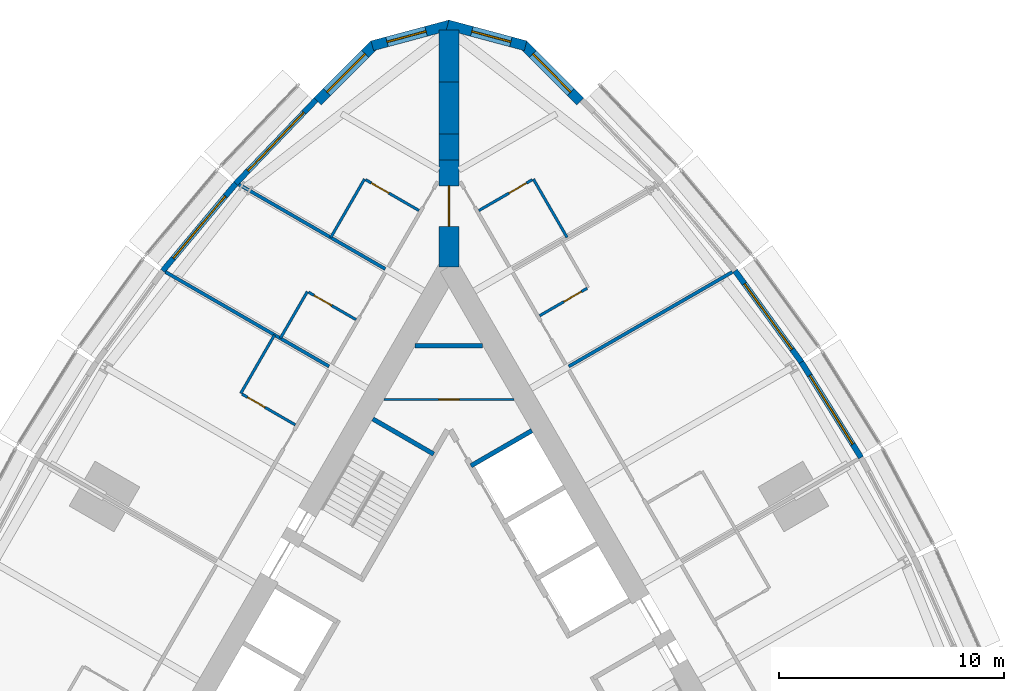
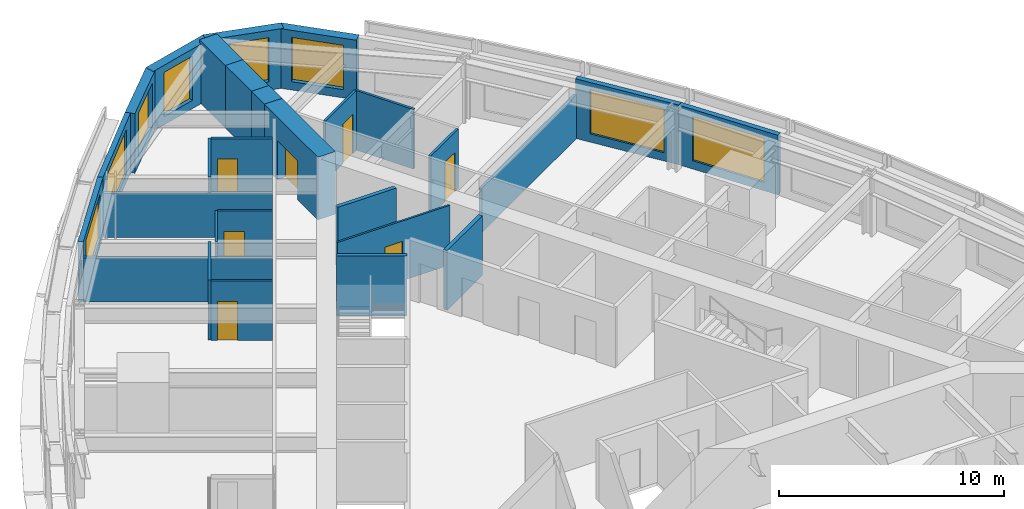
# One storey, part 12 of 14: 28 walls, 8 windows, 7 doors, 15 openings.
"""IFC4 building model written with IfcOpenShell, lengths in metres."""

from ifc_helpers import new_model, si_unit, direction, frame, frame_2d, origin, place, context, subcontext, project, spatial, polyline, rectangle, outline, extrude, material, layer, layer_set, type_object, element, fill, save


model = new_model("IFC4")

# Units and contexts
model_context = context("Model", 3, precision=1e-05, world=origin(), true_north=direction((0.0, 1.0)))
body_context = subcontext(model_context, "Body", "Model", "MODEL_VIEW")
ifc_project = project(units=[si_unit("LENGTHUNIT", "METRE"), si_unit("AREAUNIT", "SQUARE_METRE"), si_unit("VOLUMEUNIT", "CUBIC_METRE"), si_unit("PLANEANGLEUNIT", "RADIAN"), si_unit("MASSUNIT", "GRAM", prefix="KILO")], contexts=[model_context])

# Site, building, storey
site_placement = place(None, origin())
site = spatial("IfcSite", under=ifc_project, at=site_placement, CompositionType="ELEMENT")
building_placement = place(site_placement, origin())
building = spatial("IfcBuilding", under=site, at=building_placement, Name="Trikona Tower", CompositionType="ELEMENT")
storey_placement = place(building_placement, frame((0.0, 0.0, 155.5)))
storey = spatial("IfcBuildingStorey", under=building, at=storey_placement, Name="L41", CompositionType="ELEMENT", Elevation=155.5)

# Wall, opening, door
ifc_material_1 = material(Name="Metal stud and cement board", Category="gypsum")
ifc_layer_1 = layer(ifc_material_1, 0.1201171875)
ifc_layer_set_1 = layer_set([ifc_layer_1], Name="Bathroom wall 120")
wall_type_1 = type_object("IfcWallType", Name="Bathroom wall 120", PredefinedType="PLUMBINGWALL", material=ifc_layer_set_1)
wall_1_placement = place(storey_placement, frame((4.028564453125, 16.875, 0.0), z_axis=(0.0, 0.0, 1.0), x_axis=(0.865980627057, 0.500077547548, 0.0)))
wall_1 = element("IfcWall", 1, at=wall_1_placement, inside=storey, type_object=wall_type_1, Name="Bathroom wall 4108", PredefinedType="PLUMBINGWALL", context=body_context, shape_type="SweptSolid", body=[
    extrude(rectangle(XDim=2.43994140625, YDim=0.1201171875, at=frame_2d((1.219970703125, 0.0))), origin(), (0.0, 0.0, 1.0), 3.235107421875),
])
opening_1_placement = place(wall_1_placement, frame((1.25, 0.0, 0.0)))
opening_1 = element("IfcOpeningElement", 2, at=opening_1_placement, cuts=wall_1, Name="Opening D2", PredefinedType="OPENING", context=body_context, shape_type="SweptSolid", body=[
    extrude(rectangle(XDim=0.89990234375, YDim=2.1298828125, at=frame_2d((0.449951171875, 1.06494140625))), frame((0.0, 0.070068359375, 0.0), z_axis=(0.0, -1.0, 0.0), x_axis=(1.0, 0.0, 0.0)), (0.0, 0.0, 1.0), 0.14013671875),
])
ifc_material_2 = material(Name="Steel door frame with solid-core timber leaf", Category="steel")
door_type_1 = type_object("IfcDoorType", Name="Bathroom door 900x2130", OperationType="SLIDING_TO_LEFT", PredefinedType="DOOR", material=ifc_material_2)
door_1_placement = place(opening_1_placement, origin())
door_1 = element("IfcDoor", 3, at=door_1_placement, inside=storey, type_object=door_type_1, Name="Bathroom door 4108", OperationType="SLIDING_TO_LEFT", OverallHeight=2.1298828125, OverallWidth=0.89990234375, PredefinedType="DOOR", context=body_context, shape_type="SweptSolid", body=[
    extrude(rectangle(XDim=0.89990234375, YDim=2.1298828125, at=frame_2d((0.449951171875, 1.06494140625))), frame((0.0, 0.02490234375, 0.0), z_axis=(0.0, -1.0, 0.0), x_axis=(1.0, 0.0, 0.0)), (0.0, 0.0, 1.0), 0.050048828125),
])
fill(opening_1, door_1)

# Wall
wall_2_placement = place(storey_placement, frame((5.25341796875, 20.353515625, 0.0), z_axis=(0.0, 0.0, 1.0), x_axis=(-0.499990139034, 0.866031096941, 0.0)))
element("IfcWall", 4, at=wall_2_placement, inside=storey, type_object=wall_type_1, Name="Bathroom wall 4109", PredefinedType="PLUMBINGWALL", context=body_context, shape_type="SweptSolid", body=[
    extrude(rectangle(XDim=3.0, YDim=0.1201171875, at=frame_2d((1.5, 0.0))), origin(), (0.0, 0.0, 1.0), 3.235107421875),
])

# Wall, opening, door
wall_3_placement = place(storey_placement, frame((1.32861328125, 21.551513671875, 0.0), z_axis=(0.0, 0.0, 1.0), x_axis=(0.865997131366, 0.500048966069, 0.0)))
wall_3 = element("IfcWall", 5, at=wall_3_placement, inside=storey, type_object=wall_type_1, Name="Bathroom wall 4109", PredefinedType="PLUMBINGWALL", context=body_context, shape_type="SweptSolid", body=[
    extrude(rectangle(XDim=2.739990234375, YDim=0.1201171875, at=frame_2d((1.3701171875, 0.0))), origin(), (0.0, 0.0, 1.0), 3.235107421875),
])
opening_2_placement = place(wall_3_placement, frame((1.550048828125, 0.0, 0.0)))
opening_2 = element("IfcOpeningElement", 6, at=opening_2_placement, cuts=wall_3, Name="Opening D2", PredefinedType="OPENING", context=body_context, shape_type="SweptSolid", body=[
    extrude(rectangle(XDim=0.89990234375, YDim=2.1298828125, at=frame_2d((0.449951171875, 1.06494140625))), frame((0.0, 0.070068359375, 0.0), z_axis=(0.0, -1.0, 0.0), x_axis=(1.0, 0.0, 0.0)), (0.0, 0.0, 1.0), 0.14013671875),
])
door_2_placement = place(opening_2_placement, origin())
door_2 = element("IfcDoor", 7, at=door_2_placement, inside=storey, type_object=door_type_1, Name="Bathroom door 4109", OperationType="SLIDING_TO_LEFT", OverallHeight=2.1298828125, OverallWidth=0.89990234375, PredefinedType="DOOR", context=body_context, shape_type="SweptSolid", body=[
    extrude(rectangle(XDim=0.89990234375, YDim=2.1298828125, at=frame_2d((0.449951171875, 1.06494140625))), frame((0.0, 0.02490234375, 0.0), z_axis=(0.0, -1.0, 0.0), x_axis=(1.0, 0.0, 0.0)), (0.0, 0.0, 1.0), 0.050048828125),
])
fill(opening_2, door_2)

# Wall
wall_4_placement = place(storey_placement, frame((-3.75341796875, 22.95166015625, 0.0), z_axis=(0.0, 0.0, 1.0), x_axis=(-0.499990139034, -0.866031096941, 0.0)))
element("IfcWall", 8, at=wall_4_placement, inside=storey, type_object=wall_type_1, Name="Bathroom wall 4110", PredefinedType="PLUMBINGWALL", context=body_context, shape_type="SweptSolid", body=[
    extrude(rectangle(XDim=3.0, YDim=0.1201171875, at=frame_2d((1.5, 0.0))), origin(), (0.0, 0.0, 1.0), 3.235107421875),
])

# Wall, opening, door
wall_5_placement = place(storey_placement, frame((-1.32861328125, 21.551513671875, 0.0), z_axis=(0.0, 0.0, 1.0), x_axis=(-0.865997131366, 0.500048966069, 0.0)))
wall_5 = element("IfcWall", 9, at=wall_5_placement, inside=storey, type_object=wall_type_1, Name="Bathroom wall 4110", PredefinedType="PLUMBINGWALL", context=body_context, shape_type="SweptSolid", body=[
    extrude(rectangle(XDim=2.739990234375, YDim=0.1201171875, at=frame_2d((1.3701171875, 0.0))), origin(), (0.0, 0.0, 1.0), 3.235107421875),
])
opening_3_placement = place(wall_5_placement, frame((1.550048828125, 0.0, 0.0)))
opening_3 = element("IfcOpeningElement", 10, at=opening_3_placement, cuts=wall_5, Name="Opening D2", PredefinedType="OPENING", context=body_context, shape_type="SweptSolid", body=[
    extrude(rectangle(XDim=0.89990234375, YDim=2.1298828125, at=frame_2d((0.449951171875, 1.06494140625))), frame((0.0, 0.070068359375, 0.0), z_axis=(0.0, -1.0, 0.0), x_axis=(1.0, 0.0, 0.0)), (0.0, 0.0, 1.0), 0.14013671875),
])
door_3_placement = place(opening_3_placement, origin())
door_3 = element("IfcDoor", 11, at=door_3_placement, inside=storey, type_object=door_type_1, Name="Bathroom door 4110", OperationType="SLIDING_TO_LEFT", OverallHeight=2.1298828125, OverallWidth=0.89990234375, PredefinedType="DOOR", context=body_context, shape_type="SweptSolid", body=[
    extrude(rectangle(XDim=0.89990234375, YDim=2.1298828125, at=frame_2d((0.449951171875, 1.06494140625))), frame((0.0, 0.02490234375, 0.0), z_axis=(0.0, -1.0, 0.0), x_axis=(1.0, 0.0, 0.0)), (0.0, 0.0, 1.0), 0.050048828125),
])
fill(opening_3, door_3)

# Wall
wall_6_placement = place(storey_placement, frame((-6.29345703125, 17.951904296875, 0.0), z_axis=(0.0, 0.0, 1.0), x_axis=(-0.499957262057, -0.866050077142, 0.0)))
element("IfcWall", 12, at=wall_6_placement, inside=storey, type_object=wall_type_1, Name="Bathroom wall 4111", PredefinedType="PLUMBINGWALL", context=body_context, shape_type="SweptSolid", body=[
    extrude(rectangle(XDim=2.400146484375, YDim=0.1201171875, at=frame_2d((1.2001953125, 0.0))), origin(), (0.0, 0.0, 1.0), 3.235107421875),
])

# Wall, opening, door
wall_7_placement = place(storey_placement, frame((-4.12841796875, 16.701904296875, 0.0), z_axis=(0.0, 0.0, 1.0), x_axis=(-0.866048967903, 0.499959183527, 0.0)))
wall_7 = element("IfcWall", 13, at=wall_7_placement, inside=storey, type_object=wall_type_1, Name="Bathroom wall 4111", PredefinedType="PLUMBINGWALL", context=body_context, shape_type="SweptSolid", body=[
    extrude(rectangle(XDim=2.440185546875, YDim=0.1201171875, at=frame_2d((1.22021484375, 0.0))), origin(), (0.0, 0.0, 1.0), 3.235107421875),
])
opening_4_placement = place(wall_7_placement, frame((1.25, 0.0, 0.0)))
opening_4 = element("IfcOpeningElement", 14, at=opening_4_placement, cuts=wall_7, Name="Opening D2", PredefinedType="OPENING", context=body_context, shape_type="SweptSolid", body=[
    extrude(rectangle(XDim=0.89990234375, YDim=2.1298828125, at=frame_2d((0.449951171875, 1.06494140625))), frame((0.0, 0.070068359375, 0.0), z_axis=(0.0, -1.0, 0.0), x_axis=(1.0, 0.0, 0.0)), (0.0, 0.0, 1.0), 0.14013671875),
])
door_4_placement = place(opening_4_placement, origin())
door_4 = element("IfcDoor", 15, at=door_4_placement, inside=storey, type_object=door_type_1, Name="Bathroom door 4111", OperationType="SLIDING_TO_LEFT", OverallHeight=2.1298828125, OverallWidth=0.89990234375, PredefinedType="DOOR", context=body_context, shape_type="SweptSolid", body=[
    extrude(rectangle(XDim=0.89990234375, YDim=2.1298828125, at=frame_2d((0.449951171875, 1.06494140625))), frame((0.0, 0.02490234375, 0.0), z_axis=(0.0, -1.0, 0.0), x_axis=(1.0, 0.0, 0.0)), (0.0, 0.0, 1.0), 0.050048828125),
])
fill(opening_4, door_4)

# Wall
wall_8_placement = place(storey_placement, frame((-7.75341796875, 16.0234375, 0.0), z_axis=(0.0, 0.0, 1.0), x_axis=(-0.499990139034, -0.866031096941, 0.0)))
element("IfcWall", 16, at=wall_8_placement, inside=storey, type_object=wall_type_1, Name="Bathroom wall 4112", PredefinedType="PLUMBINGWALL", context=body_context, shape_type="SweptSolid", body=[
    extrude(rectangle(XDim=3.0, YDim=0.1201171875, at=frame_2d((1.5, 0.0))), origin(), (0.0, 0.0, 1.0), 3.235107421875),
])

# Wall, opening, door
wall_9_placement = place(storey_placement, frame((-6.82861328125, 12.025390625, 0.0), z_axis=(0.0, 0.0, 1.0), x_axis=(-0.866035715982, 0.499982138324, 0.0)))
wall_9 = element("IfcWall", 17, at=wall_9_placement, inside=storey, type_object=wall_type_1, Name="Bathroom wall 4112", PredefinedType="PLUMBINGWALL", context=body_context, shape_type="SweptSolid", body=[
    extrude(rectangle(XDim=2.73974609375, YDim=0.1201171875, at=frame_2d((1.369873046875, 0.0))), origin(), (0.0, 0.0, 1.0), 3.235107421875),
])
opening_5_placement = place(wall_9_placement, frame((1.550048828125, 0.0, 0.0)))
opening_5 = element("IfcOpeningElement", 18, at=opening_5_placement, cuts=wall_9, Name="Opening D2", PredefinedType="OPENING", context=body_context, shape_type="SweptSolid", body=[
    extrude(rectangle(XDim=0.89990234375, YDim=2.1298828125, at=frame_2d((0.449951171875, 1.06494140625))), frame((0.0, 0.070068359375, 0.0), z_axis=(0.0, -1.0, 0.0), x_axis=(1.0, 0.0, 0.0)), (0.0, 0.0, 1.0), 0.14013671875),
])
door_5_placement = place(opening_5_placement, origin())
door_5 = element("IfcDoor", 19, at=door_5_placement, inside=storey, type_object=door_type_1, Name="Bathroom door 4112", OperationType="SLIDING_TO_LEFT", OverallHeight=2.1298828125, OverallWidth=0.89990234375, PredefinedType="DOOR", context=body_context, shape_type="SweptSolid", body=[
    extrude(rectangle(XDim=0.89990234375, YDim=2.1298828125, at=frame_2d((0.449951171875, 1.06494140625))), frame((0.0, 0.02490234375, 0.0), z_axis=(0.0, -1.0, 0.0), x_axis=(1.0, 0.0, 0.0)), (0.0, 0.0, 1.0), 0.050048828125),
])
fill(opening_5, door_5)

# Wall, opening, window
ifc_material_3 = material(Name="Brick-faced precast concrete", Category="masonry")
ifc_layer_2 = layer(ifc_material_3, 0.449951171875)
ifc_layer_set_2 = layer_set([ifc_layer_2], Name="Brick-faced corner wall 450")
wall_type_2 = type_object("IfcWallType", Name="Brick-faced corner wall 450", PredefinedType="SOLIDWALL", material=ifc_layer_set_2)
wall_10_placement = place(storey_placement, frame((5.8408203125, 26.39892578125, 0.0), z_axis=(0.0, 0.0, 1.0), x_axis=(-0.707106781187, 0.707106781187, 0.0)))
wall_10 = element("IfcWall", 20, at=wall_10_placement, inside=storey, type_object=wall_type_2, Name="External wall L41-20", PredefinedType="SOLIDWALL", context=body_context, shape_type="SweptSolid", body=[
    extrude(rectangle(XDim=3.586181640625, YDim=0.449951171875, at=frame_2d((1.79296875, 0.0))), origin(), (0.0, 0.0, 1.0), 3.235107421875),
])
opening_6_placement = place(wall_10_placement, frame((0.59326171875, 0.0, 0.449951171875)))
opening_6 = element("IfcOpeningElement", 21, at=opening_6_placement, cuts=wall_10, Name="Opening W2424", PredefinedType="OPENING", context=body_context, shape_type="SweptSolid", body=[
    extrude(rectangle(XDim=2.39990234375, YDim=2.39990234375, at=frame_2d((1.199951171875, 1.199951171875))), frame((0.0, 0.23486328125, 0.0), z_axis=(0.0, -1.0, 0.0), x_axis=(1.0, 0.0, 0.0)), (0.0, 0.0, 1.0), 0.469970703125),
])
ifc_material_4 = material(Name="Aluminium-framed double glazing", Category="aluminium")
window_type_1 = type_object("IfcWindowType", Name="Window 2400x2400", PartitioningType="SINGLE_PANEL", PredefinedType="WINDOW", material=ifc_material_4)
window_1_placement = place(opening_6_placement, origin())
window_1 = element("IfcWindow", 22, at=window_1_placement, inside=storey, type_object=window_type_1, Name="Window 4109", OverallHeight=2.39990234375, OverallWidth=2.39990234375, PartitioningType="SINGLE_PANEL", PredefinedType="WINDOW", context=body_context, shape_type="SweptSolid", body=[
    extrude(rectangle(XDim=2.39990234375, YDim=2.39990234375, at=frame_2d((1.199951171875, 1.199951171875))), frame((0.0, 0.030029296875, 0.0), z_axis=(0.0, -1.0, 0.0), x_axis=(1.0, 0.0, 0.0)), (0.0, 0.0, 1.0), 0.06005859375),
])
fill(opening_6, window_1)

wall_11_placement = place(storey_placement, frame((3.406005859375, 28.876708984375, 0.0), z_axis=(0.0, 0.0, 1.0), x_axis=(-0.965924653531, 0.258823421857, 0.0)))
wall_11 = element("IfcWall", 23, at=wall_11_placement, inside=storey, type_object=wall_type_2, Name="External wall L41-21", PredefinedType="SOLIDWALL", context=body_context, shape_type="SweptSolid", body=[
    extrude(outline(polyline([(3.58642578125, 0.22509765625), (3.526611328125, 0.22509765625), (3.035400390625, 0.09326171875), (3.0, 0.22509765625), (0.0, 0.22509765625), (0.0, -0.22509765625), (3.58642578125, -0.22509765625), (3.58642578125, 0.22509765625)])), origin(), (0.0, 0.0, 1.0), 3.235107421875),
])
opening_7_placement = place(wall_11_placement, frame((0.6748046875, 0.0, 0.449951171875)))
opening_7 = element("IfcOpeningElement", 24, at=opening_7_placement, cuts=wall_11, Name="Opening W1824", PredefinedType="OPENING", context=body_context, shape_type="SweptSolid", body=[
    extrude(rectangle(XDim=1.800048828125, YDim=2.39990234375, at=frame_2d((0.89990234375, 1.199951171875))), frame((0.0, 0.23486328125, 0.0), z_axis=(0.0, -1.0, 0.0), x_axis=(1.0, 0.0, 0.0)), (0.0, 0.0, 1.0), 0.469970703125),
])
ifc_material_5 = material(Name="Aluminium-framed double glazing", Category="aluminium")
window_type_2 = type_object("IfcWindowType", Name="Window 1800x2400", PartitioningType="SINGLE_PANEL", PredefinedType="WINDOW", material=ifc_material_5)
window_2_placement = place(opening_7_placement, origin())
window_2 = element("IfcWindow", 25, at=window_2_placement, inside=storey, type_object=window_type_2, Name="Window 4109", OverallHeight=2.39990234375, OverallWidth=1.800048828125, PartitioningType="SINGLE_PANEL", PredefinedType="WINDOW", context=body_context, shape_type="SweptSolid", body=[
    extrude(rectangle(XDim=1.800048828125, YDim=2.39990234375, at=frame_2d((0.89990234375, 1.199951171875))), frame((0.0, 0.030029296875, 0.0), z_axis=(0.0, -1.0, 0.0), x_axis=(1.0, 0.0, 0.0)), (0.0, 0.0, 1.0), 0.06005859375),
])
fill(opening_7, window_2)

wall_12_placement = place(storey_placement, frame((0.05810546875, 29.804931640625, 0.0), z_axis=(0.0, 0.0, 1.0), x_axis=(-0.965924653531, -0.258823421857, 0.0)))
wall_12 = element("IfcWall", 26, at=wall_12_placement, inside=storey, type_object=wall_type_2, Name="External wall L41-22", PredefinedType="SOLIDWALL", context=body_context, shape_type="SweptSolid", body=[
    extrude(outline(polyline([(3.58642578125, 0.22509765625), (0.58642578125, 0.22509765625), (0.551025390625, 0.09326171875), (0.0595703125, 0.22509765625), (0.0, 0.22509765625), (0.0, -0.22509765625), (3.58642578125, -0.22509765625), (3.58642578125, 0.22509765625)])), origin(), (0.0, 0.0, 1.0), 3.235107421875),
])
opening_8_placement = place(wall_12_placement, frame((1.111328125, 0.0, 0.449951171875)))
opening_8 = element("IfcOpeningElement", 27, at=opening_8_placement, cuts=wall_12, Name="Opening W1824", PredefinedType="OPENING", context=body_context, shape_type="SweptSolid", body=[
    extrude(rectangle(XDim=1.800048828125, YDim=2.39990234375, at=frame_2d((0.89990234375, 1.199951171875))), frame((0.0, 0.23486328125, 0.0), z_axis=(0.0, -1.0, 0.0), x_axis=(1.0, 0.0, 0.0)), (0.0, 0.0, 1.0), 0.469970703125),
])
window_3_placement = place(opening_8_placement, origin())
window_3 = element("IfcWindow", 28, at=window_3_placement, inside=storey, type_object=window_type_2, Name="Window 4110", OverallHeight=2.39990234375, OverallWidth=1.800048828125, PartitioningType="SINGLE_PANEL", PredefinedType="WINDOW", context=body_context, shape_type="SweptSolid", body=[
    extrude(rectangle(XDim=1.800048828125, YDim=2.39990234375, at=frame_2d((0.89990234375, 1.199951171875))), frame((0.0, 0.030029296875, 0.0), z_axis=(0.0, -1.0, 0.0), x_axis=(1.0, 0.0, 0.0)), (0.0, 0.0, 1.0), 0.06005859375),
])
fill(opening_8, window_3)

wall_13_placement = place(storey_placement, frame((-3.304931640625, 28.934814453125, 0.0), z_axis=(0.0, 0.0, 1.0), x_axis=(-0.707106781187, -0.707106781187, 0.0)))
wall_13 = element("IfcWall", 29, at=wall_13_placement, inside=storey, type_object=wall_type_2, Name="External wall L41-23", PredefinedType="SOLIDWALL", context=body_context, shape_type="SweptSolid", body=[
    extrude(rectangle(XDim=3.586181640625, YDim=0.449951171875, at=frame_2d((1.79296875, 0.0))), origin(), (0.0, 0.0, 1.0), 3.235107421875),
])
opening_9_placement = place(wall_13_placement, frame((0.59326171875, 0.0, 0.449951171875)))
opening_9 = element("IfcOpeningElement", 30, at=opening_9_placement, cuts=wall_13, Name="Opening W2424", PredefinedType="OPENING", context=body_context, shape_type="SweptSolid", body=[
    extrude(rectangle(XDim=2.39990234375, YDim=2.39990234375, at=frame_2d((1.199951171875, 1.199951171875))), frame((0.0, 0.23486328125, 0.0), z_axis=(0.0, -1.0, 0.0), x_axis=(1.0, 0.0, 0.0)), (0.0, 0.0, 1.0), 0.469970703125),
])
window_4_placement = place(opening_9_placement, origin())
window_4 = element("IfcWindow", 31, at=window_4_placement, inside=storey, type_object=window_type_1, Name="Window 4110", OverallHeight=2.39990234375, OverallWidth=2.39990234375, PartitioningType="SINGLE_PANEL", PredefinedType="WINDOW", context=body_context, shape_type="SweptSolid", body=[
    extrude(rectangle(XDim=2.39990234375, YDim=2.39990234375, at=frame_2d((1.199951171875, 1.199951171875))), frame((0.0, 0.030029296875, 0.0), z_axis=(0.0, -1.0, 0.0), x_axis=(1.0, 0.0, 0.0)), (0.0, 0.0, 1.0), 0.06005859375),
])
fill(opening_9, window_4)

# Wall, opening, door
ifc_material_6 = material(Name="Concrete f'c 10000 psi", Category="concrete")
ifc_layer_3 = layer(ifc_material_6, 0.89990234375)
ifc_layer_set_3 = layer_set([ifc_layer_3], Name="Buttress wall 900")
wall_type_3 = type_object("IfcWallType", Name="Buttress wall 900", PredefinedType="SHEAR", material=ifc_layer_set_3)
wall_14_placement = place(storey_placement, frame((0.0, 19.052490234375, 0.0), z_axis=(0.0, 0.0, 1.0), x_axis=(0.0, 1.0, 0.0)))
wall_14 = element("IfcWall", 32, at=wall_14_placement, inside=storey, type_object=wall_type_3, Name="Buttress wall 2", PredefinedType="SHEAR", context=body_context, shape_type="SweptSolid", body=[
    extrude(rectangle(XDim=4.74609375, YDim=0.89990234375, at=frame_2d((2.373046875, 0.0))), origin(), (0.0, 0.0, 1.0), 3.39990234375),
])
opening_10_placement = place(wall_14_placement, frame((1.800048828125, 0.0, 0.0)))
opening_10 = element("IfcOpeningElement", 33, at=opening_10_placement, cuts=wall_14, Name="Opening D10", PredefinedType="OPENING", context=body_context, shape_type="SweptSolid", body=[
    extrude(rectangle(XDim=1.800048828125, YDim=2.1298828125, at=frame_2d((0.89990234375, 1.06494140625))), frame((0.0, 0.4599609375, 0.0), z_axis=(0.0, -1.0, 0.0), x_axis=(1.0, 0.0, 0.0)), (0.0, 0.0, 1.0), 0.919921875),
])
ifc_material_7 = material(Name="Hollow metal door and frame", Category="steel")
door_type_2 = type_object("IfcDoorType", Name="Cross-corridor door pair 1800x2130", OperationType="DOUBLE_DOOR_DOUBLE_SWING", PredefinedType="DOOR", material=ifc_material_7)
door_6_placement = place(opening_10_placement, origin())
door_6 = element("IfcDoor", 34, at=door_6_placement, inside=storey, type_object=door_type_2, Name="Cross-corridor door 2", OperationType="DOUBLE_DOOR_DOUBLE_SWING", OverallHeight=2.1298828125, OverallWidth=1.800048828125, PredefinedType="DOOR", context=body_context, shape_type="SweptSolid", body=[
    extrude(rectangle(XDim=1.800048828125, YDim=2.1298828125, at=frame_2d((0.89990234375, 1.06494140625))), frame((0.0, 0.02490234375, 0.0), z_axis=(0.0, -1.0, 0.0), x_axis=(1.0, 0.0, 0.0)), (0.0, 0.0, 1.0), 0.050048828125),
])
fill(opening_10, door_6)

# Walls
wall_15_placement = place(storey_placement, frame((0.0, 23.798583984375, 0.0), z_axis=(0.0, 0.0, 1.0), x_axis=(0.0, 1.0, 0.0)))
element("IfcWall", 35, at=wall_15_placement, inside=storey, type_object=wall_type_3, Name="Buttress wall 2 part 2", PredefinedType="SHEAR", context=body_context, shape_type="SweptSolid", body=[
    extrude(rectangle(XDim=1.15478515625, YDim=0.89990234375, at=frame_2d((0.577392578125, 0.0))), origin(), (0.0, 0.0, 1.0), 3.39990234375),
])
wall_16_placement = place(storey_placement, frame((0.0, 24.953369140625, 0.0), z_axis=(0.0, 0.0, 1.0), x_axis=(0.0, 1.0, 0.0)))
element("IfcWall", 36, at=wall_16_placement, inside=storey, type_object=wall_type_3, Name="Buttress wall 2 part 3", PredefinedType="SHEAR", context=body_context, shape_type="SweptSolid", body=[
    extrude(rectangle(XDim=2.309326171875, YDim=0.89990234375, at=frame_2d((1.15478515625, 0.0))), origin(), (0.0, 0.0, 1.0), 3.39990234375),
])
wall_17_placement = place(storey_placement, frame((0.0, 27.2626953125, 0.0), z_axis=(0.0, 0.0, 1.0), x_axis=(0.0, 1.0, 0.0)))
element("IfcWall", 37, at=wall_17_placement, inside=storey, type_object=wall_type_3, Name="Buttress wall 2 part 4", PredefinedType="SHEAR", context=body_context, shape_type="SweptSolid", body=[
    extrude(rectangle(XDim=2.3095703125, YDim=0.89990234375, at=frame_2d((1.15478515625, 0.0))), origin(), (0.0, 0.0, 1.0), 3.39990234375),
])

# Wall, opening, window
ifc_material_8 = material(Name="Insulated precast concrete spandrel panel", Category="concrete")
ifc_layer_4 = layer(ifc_material_8, 0.25)
ifc_layer_set_4 = layer_set([ifc_layer_4], Name="Inner skin wall 250")
wall_type_4 = type_object("IfcWallType", Name="Inner skin wall 250", PredefinedType="STANDARD", material=ifc_layer_set_4)
wall_18_placement = place(storey_placement, frame((18.31884765625, 10.5712890625, 0.0), z_axis=(0.0, 0.0, 1.0), x_axis=(-0.529990167382, 0.84800378683, 0.0)))
wall_18 = element("IfcWall", 38, at=wall_18_placement, inside=storey, type_object=wall_type_4, Name="External wall L41-16", PredefinedType="STANDARD", context=body_context, shape_type="SweptSolid", body=[
    extrude(rectangle(XDim=5.003173828125, YDim=0.25, at=frame_2d((2.50146484375, 0.0))), origin(), (0.0, 0.0, 1.0), 3.235107421875),
])
opening_11_placement = place(wall_18_placement, frame((0.701416015625, 0.0, 0.449951171875)))
opening_11 = element("IfcOpeningElement", 39, at=opening_11_placement, cuts=wall_18, Name="Opening W3624", PredefinedType="OPENING", context=body_context, shape_type="SweptSolid", body=[
    extrude(rectangle(XDim=3.60009765625, YDim=2.39990234375, at=frame_2d((1.800048828125, 1.199951171875))), frame((0.0, 0.135009765625, 0.0), z_axis=(0.0, -1.0, 0.0), x_axis=(1.0, 0.0, 0.0)), (0.0, 0.0, 1.0), 0.27001953125),
])
ifc_material_9 = material(Name="Aluminium-framed double glazing", Category="aluminium")
window_type_3 = type_object("IfcWindowType", Name="Window 3600x2400", PartitioningType="SINGLE_PANEL", PredefinedType="WINDOW", material=ifc_material_9)
window_5_placement = place(opening_11_placement, origin())
window_5 = element("IfcWindow", 40, at=window_5_placement, inside=storey, type_object=window_type_3, Name="Window 4107", OverallHeight=2.39990234375, OverallWidth=3.60009765625, PartitioningType="SINGLE_PANEL", PredefinedType="WINDOW", context=body_context, shape_type="SweptSolid", body=[
    extrude(rectangle(XDim=3.60009765625, YDim=2.39990234375, at=frame_2d((1.800048828125, 1.199951171875))), frame((0.0, 0.030029296875, 0.0), z_axis=(0.0, -1.0, 0.0), x_axis=(1.0, 0.0, 0.0)), (0.0, 0.0, 1.0), 0.06005859375),
])
fill(opening_11, window_5)

wall_19_placement = place(storey_placement, frame((15.672119140625, 14.806640625, 0.0), z_axis=(0.0, 0.0, 1.0), x_axis=(-0.587669188412, 0.809101307001, 0.0)))
wall_19 = element("IfcWall", 41, at=wall_19_placement, inside=storey, type_object=wall_type_4, Name="External wall L41-17", PredefinedType="STANDARD", context=body_context, shape_type="SweptSolid", body=[
    extrude(rectangle(XDim=5.027587890625, YDim=0.25, at=frame_2d((2.513671875, 0.0))), origin(), (0.0, 0.0, 1.0), 3.235107421875),
])
opening_12_placement = place(wall_19_placement, frame((0.7138671875, 0.0, 0.449951171875)))
opening_12 = element("IfcOpeningElement", 42, at=opening_12_placement, cuts=wall_19, Name="Opening W3624", PredefinedType="OPENING", context=body_context, shape_type="SweptSolid", body=[
    extrude(rectangle(XDim=3.60009765625, YDim=2.39990234375, at=frame_2d((1.800048828125, 1.199951171875))), frame((0.0, 0.135009765625, 0.0), z_axis=(0.0, -1.0, 0.0), x_axis=(1.0, 0.0, 0.0)), (0.0, 0.0, 1.0), 0.27001953125),
])
window_6_placement = place(opening_12_placement, origin())
window_6 = element("IfcWindow", 43, at=window_6_placement, inside=storey, type_object=window_type_3, Name="Window 4107", OverallHeight=2.39990234375, OverallWidth=3.60009765625, PartitioningType="SINGLE_PANEL", PredefinedType="WINDOW", context=body_context, shape_type="SweptSolid", body=[
    extrude(rectangle(XDim=3.60009765625, YDim=2.39990234375, at=frame_2d((1.800048828125, 1.199951171875))), frame((0.0, 0.030029296875, 0.0), z_axis=(0.0, -1.0, 0.0), x_axis=(1.0, 0.0, 0.0)), (0.0, 0.0, 1.0), 0.06005859375),
])
fill(opening_12, window_6)

wall_20_placement = place(storey_placement, frame((-5.90966796875, 26.4716796875, 0.0), z_axis=(0.0, 0.0, 1.0), x_axis=(-0.691719937936, -0.722165858693, 0.0)))
wall_20 = element("IfcWall", 44, at=wall_20_placement, inside=storey, type_object=wall_type_4, Name="External wall L41-24", PredefinedType="STANDARD", context=body_context, shape_type="SweptSolid", body=[
    extrude(rectangle(XDim=5.148193359375, YDim=0.25, at=frame_2d((2.57421875, 0.0))), origin(), (0.0, 0.0, 1.0), 3.235107421875),
])
opening_13_placement = place(wall_20_placement, frame((0.77392578125, 0.0, 0.449951171875)))
opening_13 = element("IfcOpeningElement", 45, at=opening_13_placement, cuts=wall_20, Name="Opening W3624", PredefinedType="OPENING", context=body_context, shape_type="SweptSolid", body=[
    extrude(rectangle(XDim=3.60009765625, YDim=2.39990234375, at=frame_2d((1.800048828125, 1.199951171875))), frame((0.0, 0.135009765625, 0.0), z_axis=(0.0, -1.0, 0.0), x_axis=(1.0, 0.0, 0.0)), (0.0, 0.0, 1.0), 0.27001953125),
])
window_7_placement = place(opening_13_placement, origin())
window_7 = element("IfcWindow", 46, at=window_7_placement, inside=storey, type_object=window_type_3, Name="Window 4110", OverallHeight=2.39990234375, OverallWidth=3.60009765625, PartitioningType="SINGLE_PANEL", PredefinedType="WINDOW", context=body_context, shape_type="SweptSolid", body=[
    extrude(rectangle(XDim=3.60009765625, YDim=2.39990234375, at=frame_2d((1.800048828125, 1.199951171875))), frame((0.0, 0.030029296875, 0.0), z_axis=(0.0, -1.0, 0.0), x_axis=(1.0, 0.0, 0.0)), (0.0, 0.0, 1.0), 0.06005859375),
])
fill(opening_13, window_7)

wall_21_placement = place(storey_placement, frame((-9.465087890625, 22.76025390625, 0.0), z_axis=(0.0, 0.0, 1.0), x_axis=(-0.641810386606, -0.766863369607, 0.0)))
wall_21 = element("IfcWall", 47, at=wall_21_placement, inside=storey, type_object=wall_type_4, Name="External wall L41-25", PredefinedType="STANDARD", context=body_context, shape_type="SweptSolid", body=[
    extrude(rectangle(XDim=5.075927734375, YDim=0.25, at=frame_2d((2.5380859375, 0.0))), origin(), (0.0, 0.0, 1.0), 3.235107421875),
])
opening_14_placement = place(wall_21_placement, frame((0.738037109375, 0.0, 0.449951171875)))
opening_14 = element("IfcOpeningElement", 48, at=opening_14_placement, cuts=wall_21, Name="Opening W3624", PredefinedType="OPENING", context=body_context, shape_type="SweptSolid", body=[
    extrude(rectangle(XDim=3.60009765625, YDim=2.39990234375, at=frame_2d((1.800048828125, 1.199951171875))), frame((0.0, 0.135009765625, 0.0), z_axis=(0.0, -1.0, 0.0), x_axis=(1.0, 0.0, 0.0)), (0.0, 0.0, 1.0), 0.27001953125),
])
window_8_placement = place(opening_14_placement, origin())
window_8 = element("IfcWindow", 49, at=window_8_placement, inside=storey, type_object=window_type_3, Name="Window 4111", OverallHeight=2.39990234375, OverallWidth=3.60009765625, PartitioningType="SINGLE_PANEL", PredefinedType="WINDOW", context=body_context, shape_type="SweptSolid", body=[
    extrude(rectangle(XDim=3.60009765625, YDim=2.39990234375, at=frame_2d((1.800048828125, 1.199951171875))), frame((0.0, 0.030029296875, 0.0), z_axis=(0.0, -1.0, 0.0), x_axis=(1.0, 0.0, 0.0)), (0.0, 0.0, 1.0), 0.06005859375),
])
fill(opening_14, window_8)

# Walls
ifc_material_10 = material(Name="Metal stud and gypsum board, 1-hour acoustic", Category="gypsum")
ifc_layer_5 = layer(ifc_material_10, 0.14990234375)
ifc_layer_set_5 = layer_set([ifc_layer_5], Name="Party wall 150")
wall_type_5 = type_object("IfcWallType", Name="Party wall 150", PredefinedType="PARTITIONING", material=ifc_layer_set_5)
wall_22_placement = place(storey_placement, frame((5.32861328125, 14.623291015625, 0.0), z_axis=(0.0, 0.0, 1.0), x_axis=(0.866011723728, 0.500023693804, 0.0)))
element("IfcWall", 50, at=wall_22_placement, inside=storey, type_object=wall_type_5, Name="Partition L41 F2 u10", PredefinedType="PARTITIONING", context=body_context, shape_type="SweptSolid", body=[
    extrude(rectangle(XDim=8.39501953125, YDim=0.14990234375, at=frame_2d((4.197509765625, 0.0))), origin(), (0.0, 0.0, 1.0), 2.38916015625),
])
wall_23_placement = place(storey_placement, frame((-2.82861328125, 18.95361328125, 0.0), z_axis=(0.0, 0.0, 1.0), x_axis=(-0.866015739374, 0.500016738876, 0.0)))
element("IfcWall", 51, at=wall_23_placement, inside=storey, type_object=wall_type_5, Name="Partition L41 F3 u-15", PredefinedType="PARTITIONING", context=body_context, shape_type="SweptSolid", body=[
    extrude(rectangle(XDim=7.516357421875, YDim=0.14990234375, at=frame_2d((3.75830078125, 0.0))), origin(), (0.0, 0.0, 1.0), 2.38916015625),
])
wall_24_placement = place(storey_placement, frame((-5.32861328125, 14.623291015625, 0.0), z_axis=(0.0, 0.0, 1.0), x_axis=(-0.866011723728, 0.500023693804, 0.0)))
element("IfcWall", 52, at=wall_24_placement, inside=storey, type_object=wall_type_5, Name="Partition L41 F3 u-10", PredefinedType="PARTITIONING", context=body_context, shape_type="SweptSolid", body=[
    extrude(rectangle(XDim=8.39501953125, YDim=0.14990234375, at=frame_2d((4.197509765625, 0.0))), origin(), (0.0, 0.0, 1.0), 2.38916015625),
])
ifc_material_11 = material(Name="Concrete f'c 8000 psi", Category="concrete")
ifc_layer_6 = layer(ifc_material_11, 0.199951171875)
ifc_layer_set_6 = layer_set([ifc_layer_6], Name="Shaft wall 200")
wall_type_6 = type_object("IfcWallType", Name="Shaft wall 200", PredefinedType="SOLIDWALL", material=ifc_layer_set_6)
wall_25_placement = place(storey_placement, frame((0.97900390625, 10.20703125, 0.0), z_axis=(0.0, 0.0, 1.0), x_axis=(0.866022959057, 0.500004234368, 0.0)))
element("IfcWall", 53, at=wall_25_placement, inside=storey, type_object=wall_type_6, Name="Shaft wall B6", PredefinedType="SOLIDWALL", context=body_context, shape_type="SweptSolid", body=[
    extrude(rectangle(XDim=3.125, YDim=0.199951171875, at=frame_2d((1.5625, 0.0))), origin(), (0.0, 0.0, 1.0), 3.235107421875),
])
wall_26_placement = place(storey_placement, frame((-1.501220703125, 15.552490234375, 0.0), z_axis=(0.0, 0.0, 1.0), x_axis=(1.0, 0.0, 0.0)))
element("IfcWall", 54, at=wall_26_placement, inside=storey, type_object=wall_type_6, Name="Riser wall L41-RS2", PredefinedType="SOLIDWALL", context=body_context, shape_type="SweptSolid", body=[
    extrude(rectangle(XDim=3.00244140625, YDim=0.199951171875, at=frame_2d((1.501220703125, 0.0))), origin(), (0.0, 0.0, 1.0), 3.235107421875),
])
ifc_material_12 = material(Name="Concrete f'c 8000 psi", Category="concrete")
ifc_layer_7 = layer(ifc_material_12, 0.199951171875)
ifc_layer_set_7 = layer_set([ifc_layer_7], Name="Shaft wall 200 load-bearing")
wall_type_7 = type_object("IfcWallType", Name="Shaft wall 200 load-bearing", PredefinedType="SOLIDWALL", material=ifc_layer_set_7)
wall_27_placement = place(storey_placement, frame((-0.678955078125, 10.7265625, 0.0), z_axis=(0.0, 0.0, 1.0), x_axis=(-0.866022959057, 0.500004234368, 0.0)))
element("IfcWall", 55, at=wall_27_placement, inside=storey, type_object=wall_type_7, Name="Shaft wall C1", PredefinedType="SOLIDWALL", context=body_context, shape_type="SweptSolid", body=[
    extrude(rectangle(XDim=3.125, YDim=0.199951171875, at=frame_2d((1.5625, 0.0))), origin(), (0.0, 0.0, 1.0), 3.235107421875),
])

# Wall, opening, door
ifc_material_13 = material(Name="Metal stud and gypsum board, acoustic", Category="gypsum")
ifc_layer_8 = layer(ifc_material_13, 0.10009765625)
ifc_layer_set_8 = layer_set([ifc_layer_8], Name="Suite partition 100")
wall_type_8 = type_object("IfcWallType", Name="Suite partition 100", PredefinedType="PARTITIONING", material=ifc_layer_set_8)
wall_28_placement = place(storey_placement, frame((-2.88671875, 13.152587890625, 0.0), z_axis=(0.0, 0.0, 1.0), x_axis=(1.0, 0.0, 0.0)))
wall_28 = element("IfcWall", 56, at=wall_28_placement, inside=storey, type_object=wall_type_8, Name="Store partition L41-RS2", PredefinedType="PARTITIONING", context=body_context, shape_type="SweptSolid", body=[
    extrude(rectangle(XDim=5.7734375, YDim=0.10009765625, at=frame_2d((2.88671875, 0.0))), origin(), (0.0, 0.0, 1.0), 3.235107421875),
])
opening_15_placement = place(wall_28_placement, frame((2.436767578125, 0.0, 0.0)))
opening_15 = element("IfcOpeningElement", 57, at=opening_15_placement, cuts=wall_28, Name="Opening D15", PredefinedType="OPENING", context=body_context, shape_type="SweptSolid", body=[
    extrude(rectangle(XDim=0.89990234375, YDim=2.1298828125, at=frame_2d((0.449951171875, 1.06494140625))), frame((0.0, 0.06005859375, 0.0), z_axis=(0.0, -1.0, 0.0), x_axis=(1.0, 0.0, 0.0)), (0.0, 0.0, 1.0), 0.1201171875),
])
ifc_material_14 = material(Name="Steel door frame with solid-core timber leaf", Category="steel")
door_type_3 = type_object("IfcDoorType", Name="Store door 900x2130", OperationType="SINGLE_SWING_LEFT", PredefinedType="DOOR", material=ifc_material_14)
door_7_placement = place(opening_15_placement, origin())
door_7 = element("IfcDoor", 58, at=door_7_placement, inside=storey, type_object=door_type_3, Name="Door Cleaner's store CLN", OperationType="SINGLE_SWING_RIGHT", OverallHeight=2.1298828125, OverallWidth=0.89990234375, PredefinedType="DOOR", context=body_context, shape_type="SweptSolid", body=[
    extrude(rectangle(XDim=0.89990234375, YDim=2.1298828125, at=frame_2d((0.449951171875, 1.06494140625))), frame((0.0, 0.02490234375, 0.0), z_axis=(0.0, -1.0, 0.0), x_axis=(1.0, 0.0, 0.0)), (0.0, 0.0, 1.0), 0.050048828125),
])
fill(opening_15, door_7)

save(model, "model.ifc")
